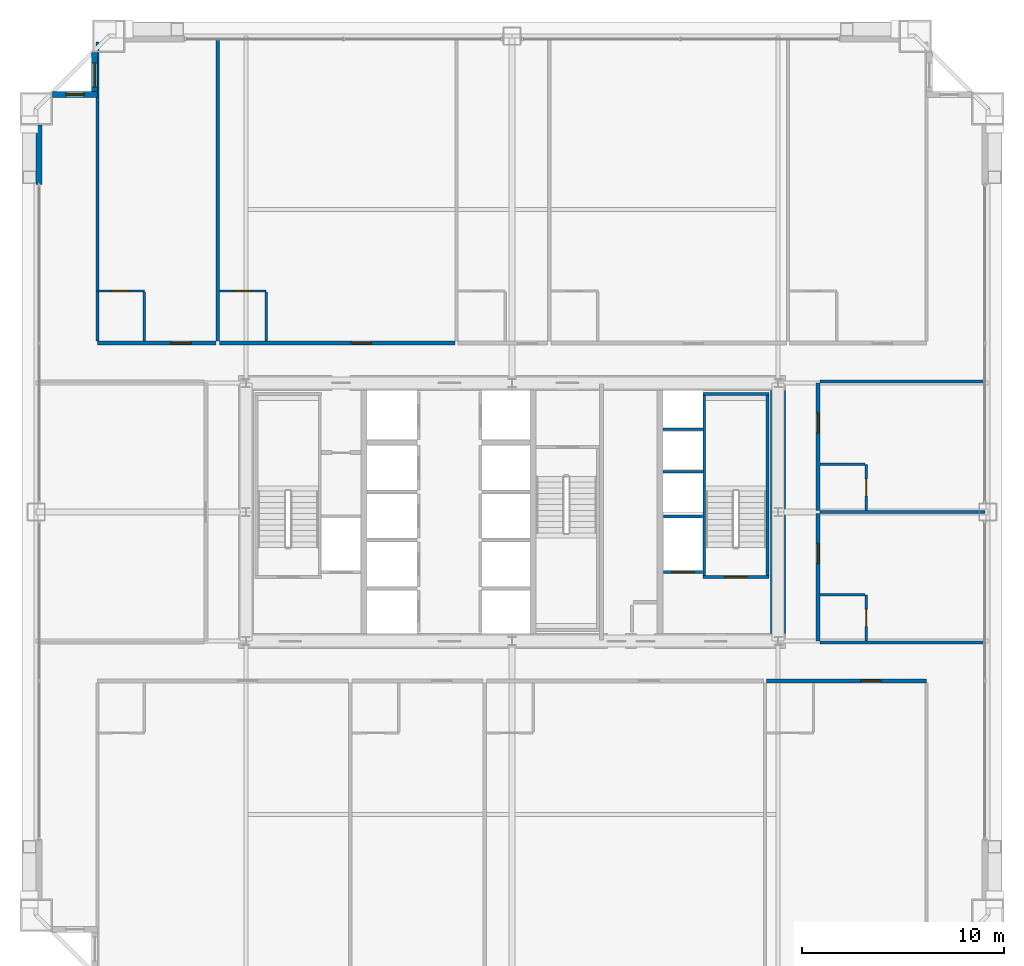
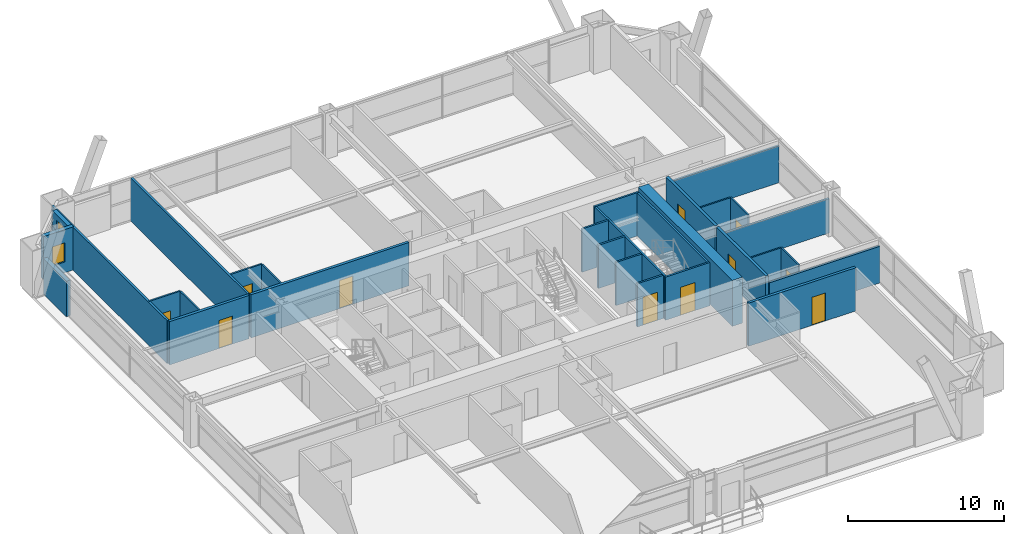
# One storey, part 39 of 41: 30 walls, 11 doors, 2 windows, 13 openings.
"""IFC4 building model written with IfcOpenShell, lengths in metres."""

from ifc_helpers import new_model, si_unit, direction, frame, frame_2d, origin, place, context, subcontext, project, spatial, rectangle, extrude, source, transform, mapped, material, layer, layer_set, type_object, element, fill, save


model = new_model("IFC4")

# Units and contexts
model_context = context("Model", 3, precision=1e-05, world=origin(), true_north=direction((0.0, 1.0)))
body_context = subcontext(model_context, "Body", "Model", "MODEL_VIEW")
ifc_project = project(units=[si_unit("LENGTHUNIT", "METRE"), si_unit("AREAUNIT", "SQUARE_METRE"), si_unit("VOLUMEUNIT", "CUBIC_METRE"), si_unit("PLANEANGLEUNIT", "RADIAN"), si_unit("MASSUNIT", "GRAM", prefix="KILO"), si_unit("THERMODYNAMICTEMPERATUREUNIT", "KELVIN"), si_unit("POWERUNIT", "WATT")], contexts=[model_context])

# Site, building, storey
site_placement = place(None, origin())
site = spatial("IfcSite", under=ifc_project, at=site_placement, CompositionType="ELEMENT")
building_placement = place(site_placement, origin())
building = spatial("IfcBuilding", under=site, at=building_placement, Name="Yuzanri Waterfront Tower", CompositionType="ELEMENT")
storey_placement = place(building_placement, frame((0.0, 0.0, 122.60009765625)))
storey = spatial("IfcBuildingStorey", under=building, at=storey_placement, Name="L32", CompositionType="ELEMENT", Elevation=122.60009765625)

# Wall, opening, door
ifc_material_1 = material(Name="Moisture-Resistant Gypsum Stud Wall", Category="gypsum")
ifc_layer_1 = layer(ifc_material_1, 0.1201171875)
ifc_layer_set_1 = layer_set([ifc_layer_1], Name="Moisture-Resistant Gypsum Stud Wall")
wall_type_1 = type_object("IfcWallType", Name="Bathroom and Kitchen Wet Partition 120", PredefinedType="PARTITIONING", material=ifc_layer_set_1)
wall_1_placement = place(storey_placement, frame((16.43994140625, 36.760009765625, 0.0), z_axis=(0.0, 0.0, 1.0), x_axis=(1.0, 0.0, 0.0)))
wall_1 = element("IfcWall", 1, at=wall_1_placement, inside=storey, type_object=wall_type_1, Name="L32 Partition UW-L32-N1-BN", PredefinedType="PARTITIONING", context=body_context, shape_type="SweptSolid", body=[
    extrude(rectangle(XDim=2.330078125, YDim=0.1201171875, at=frame_2d((1.1650390625, 0.0))), origin(), (0.0, 0.0, 1.0), 3.3798828125),
])
opening_1_placement = place(wall_1_placement, frame((0.739990234375, 0.0, 0.0)))
opening_1 = element("IfcOpeningElement", 2, at=opening_1_placement, cuts=wall_1, Name="Opening ID-0850", PredefinedType="OPENING", context=body_context, shape_type="SweptSolid", body=[
    extrude(rectangle(XDim=0.85009765625, YDim=2.10009765625, at=frame_2d((0.425048828125, 1.050048828125))), frame((0.0, 0.074951171875, 0.0), z_axis=(0.0, -1.0, 0.0), x_axis=(1.0, 0.0, 0.0)), (0.0, 0.0, 1.0), 0.14990234375),
])
ifc_material_2 = material(Name="Moisture-Resistant Lacquered Timber", Category="wood")
door_type_1 = type_object("IfcDoorType", Name="En-Suite Bathroom and Kitchen Swing Door 850x2100", OperationType="NOTDEFINED", PredefinedType="DOOR", material=ifc_material_2)
shared_shape_1 = source(origin(), body_context, "Body", "SweptSolid", [
    extrude(rectangle(XDim=0.85009765625, YDim=2.10009765625, at=frame_2d((0.425048828125, 1.050048828125))), frame((0.0, 0.02490234375, 0.0), z_axis=(0.0, -1.0, 0.0), x_axis=(1.0, 0.0, 0.0)), (0.0, 0.0, 1.0), 0.050048828125),
])
door_1_placement = place(opening_1_placement, origin())
door_1 = element("IfcDoor", 3, at=door_1_placement, inside=storey, type_object=door_type_1, Name="L32 Guest En-Suite Door", OperationType="SINGLE_SWING_RIGHT", OverallHeight=2.10009765625, OverallWidth=0.85009765625, PredefinedType="DOOR", context=body_context, shape_type="MappedRepresentation", body=[
    mapped(shared_shape_1, transform((0.0, 0.0, 0.0), scale=1.0)),
])
fill(opening_1, door_1)

wall_2_placement = place(storey_placement, frame((22.48193359375, 36.760009765625, 0.0), z_axis=(0.0, 0.0, 1.0), x_axis=(1.0, 0.0, 0.0)))
wall_2 = element("IfcWall", 4, at=wall_2_placement, inside=storey, type_object=wall_type_1, Name="L32 Partition UW-L32-N2-BN", PredefinedType="PARTITIONING", context=body_context, shape_type="SweptSolid", body=[
    extrude(rectangle(XDim=2.330078125, YDim=0.1201171875, at=frame_2d((1.1650390625, 0.0))), origin(), (0.0, 0.0, 1.0), 3.3798828125),
])
opening_2_placement = place(wall_2_placement, frame((0.739990234375, 0.0, 0.0)))
opening_2 = element("IfcOpeningElement", 5, at=opening_2_placement, cuts=wall_2, Name="Opening ID-0850", PredefinedType="OPENING", context=body_context, shape_type="SweptSolid", body=[
    extrude(rectangle(XDim=0.85009765625, YDim=2.10009765625, at=frame_2d((0.425048828125, 1.050048828125))), frame((0.0, 0.074951171875, 0.0), z_axis=(0.0, -1.0, 0.0), x_axis=(1.0, 0.0, 0.0)), (0.0, 0.0, 1.0), 0.14990234375),
])
door_2_placement = place(opening_2_placement, origin())
door_2 = element("IfcDoor", 6, at=door_2_placement, inside=storey, type_object=door_type_1, Name="L32 Guest En-Suite Door", OperationType="SINGLE_SWING_RIGHT", OverallHeight=2.10009765625, OverallWidth=0.85009765625, PredefinedType="DOOR", context=body_context, shape_type="MappedRepresentation", body=[
    mapped(shared_shape_1, transform((0.0, 0.0, 0.0), scale=1.0)),
])
fill(opening_2, door_2)

wall_3_placement = place(storey_placement, frame((54.56005859375, 19.409912109375, 0.0), z_axis=(0.0, 0.0, 1.0), x_axis=(0.0, 1.0, 0.0)))
wall_3 = element("IfcWall", 7, at=wall_3_placement, inside=storey, type_object=wall_type_1, Name="L32 Partition UW-L32-E1-BE2", PredefinedType="PARTITIONING", context=body_context, shape_type="SweptSolid", body=[
    extrude(rectangle(XDim=2.280029296875, YDim=0.1201171875, at=frame_2d((1.14013671875, 0.0))), origin(), (0.0, 0.0, 1.0), 3.3798828125),
])
opening_3_placement = place(wall_3_placement, frame((0.715087890625, 0.0, 0.0)))
opening_3 = element("IfcOpeningElement", 8, at=opening_3_placement, cuts=wall_3, Name="Opening ID-0850", PredefinedType="OPENING", context=body_context, shape_type="SweptSolid", body=[
    extrude(rectangle(XDim=0.85009765625, YDim=2.10009765625, at=frame_2d((0.425048828125, 1.050048828125))), frame((0.0, 0.074951171875, 0.0), z_axis=(0.0, -1.0, 0.0), x_axis=(1.0, 0.0, 0.0)), (0.0, 0.0, 1.0), 0.14990234375),
])
door_3_placement = place(opening_3_placement, origin())
door_3 = element("IfcDoor", 9, at=door_3_placement, inside=storey, type_object=door_type_1, Name="L32 Guest En-Suite Door", OperationType="SINGLE_SWING_LEFT", OverallHeight=2.10009765625, OverallWidth=0.85009765625, PredefinedType="DOOR", context=body_context, shape_type="MappedRepresentation", body=[
    mapped(shared_shape_1, transform((0.0, 0.0, 0.0), scale=1.0)),
])
fill(opening_3, door_3)

wall_4_placement = place(storey_placement, frame((54.56005859375, 25.8798828125, 0.0), z_axis=(0.0, 0.0, 1.0), x_axis=(0.0, 1.0, 0.0)))
wall_4 = element("IfcWall", 10, at=wall_4_placement, inside=storey, type_object=wall_type_1, Name="L32 Partition UW-L32-E2-BE2", PredefinedType="PARTITIONING", context=body_context, shape_type="SweptSolid", body=[
    extrude(rectangle(XDim=2.280029296875, YDim=0.1201171875, at=frame_2d((1.14013671875, 0.0))), origin(), (0.0, 0.0, 1.0), 3.3798828125),
])
opening_4_placement = place(wall_4_placement, frame((0.715087890625, 0.0, 0.0)))
opening_4 = element("IfcOpeningElement", 11, at=opening_4_placement, cuts=wall_4, Name="Opening ID-0850", PredefinedType="OPENING", context=body_context, shape_type="SweptSolid", body=[
    extrude(rectangle(XDim=0.85009765625, YDim=2.10009765625, at=frame_2d((0.425048828125, 1.050048828125))), frame((0.0, 0.074951171875, 0.0), z_axis=(0.0, -1.0, 0.0), x_axis=(1.0, 0.0, 0.0)), (0.0, 0.0, 1.0), 0.14990234375),
])
door_4_placement = place(opening_4_placement, origin())
door_4 = element("IfcDoor", 12, at=door_4_placement, inside=storey, type_object=door_type_1, Name="L32 Guest En-Suite Door", OperationType="SINGLE_SWING_LEFT", OverallHeight=2.10009765625, OverallWidth=0.85009765625, PredefinedType="DOOR", context=body_context, shape_type="MappedRepresentation", body=[
    mapped(shared_shape_1, transform((0.0, 0.0, 0.0), scale=1.0)),
])
fill(opening_4, door_4)

# Wall, opening, window
ifc_material_3 = material(Name="Honed Chongqing Dark Basalt Stone", Category="masonry")
ifc_layer_2 = layer(ifc_material_3, 0.300048828125)
ifc_layer_set_2 = layer_set([ifc_layer_2], Name="Honed Chongqing Dark Basalt Stone")
wall_type_2 = type_object("IfcWallType", Name="Bronze Rainscreen Insulated Spandrel Portal Wall 300", PredefinedType="SOLIDWALL", material=ifc_layer_set_2)
wall_5_placement = place(storey_placement, frame((16.449951171875, 46.5, 0.0), z_axis=(0.0, 0.0, 1.0), x_axis=(-1.0, 0.0, 0.0)))
wall_5 = element("IfcWall", 13, at=wall_5_placement, inside=storey, type_object=wall_type_2, Name="L32 Notched Corner Masonry Wall NW-X", PredefinedType="SOLIDWALL", context=body_context, shape_type="SweptSolid", body=[
    extrude(rectangle(XDim=2.25, YDim=0.300048828125, at=frame_2d((1.125, 0.0))), origin(), (0.0, 0.0, 1.0), 3.3798828125),
])
opening_5_placement = place(wall_5_placement, frame((0.675048828125, 0.0, 0.85009765625)))
opening_5 = element("IfcOpeningElement", 14, at=opening_5_placement, cuts=wall_5, Name="Opening WN-05", PredefinedType="OPENING", context=body_context, shape_type="SweptSolid", body=[
    extrude(rectangle(XDim=0.89990234375, YDim=1.5, at=frame_2d((0.449951171875, 0.75))), frame((0.0, 0.1650390625, 0.0), z_axis=(0.0, -1.0, 0.0), x_axis=(1.0, 0.0, 0.0)), (0.0, 0.0, 1.0), 0.329833984375),
])
ifc_material_4 = material(Name="Double-Silver Low-E Insulated Glass", Category="glass")
window_type_1 = type_object("IfcWindowType", Name="Anodized Bronze Service and Stairwell Smoke-Vent Window 900x1500", PartitioningType="SINGLE_PANEL", PredefinedType="WINDOW", material=ifc_material_4)
shared_shape_2 = source(origin(), body_context, "Body", "SweptSolid", [
    extrude(rectangle(XDim=0.89990234375, YDim=1.5, at=frame_2d((0.449951171875, 0.75))), frame((0.0, 0.030029296875, 0.0), z_axis=(0.0, -1.0, 0.0), x_axis=(1.0, 0.0, 0.0)), (0.0, 0.0, 1.0), 0.06005859375),
])
window_1_placement = place(opening_5_placement, origin())
window_1 = element("IfcWindow", 15, at=window_1_placement, inside=storey, type_object=window_type_1, Name="L32 Notched Corner Window NW-X", OverallHeight=1.5, OverallWidth=0.89990234375, PartitioningType="SINGLE_PANEL", PredefinedType="WINDOW", context=body_context, shape_type="MappedRepresentation", body=[
    mapped(shared_shape_2, transform((0.0, 0.0, 0.0), scale=1.0)),
])
fill(opening_5, window_1)

wall_6_placement = place(storey_placement, frame((16.300048828125, 48.60009765625, 0.0), z_axis=(0.0, 0.0, 1.0), x_axis=(0.0, -1.0, 0.0)))
wall_6 = element("IfcWall", 16, at=wall_6_placement, inside=storey, type_object=wall_type_2, Name="L32 Notched Corner Masonry Wall NW-Y", PredefinedType="SOLIDWALL", context=body_context, shape_type="SweptSolid", body=[
    extrude(rectangle(XDim=2.25, YDim=0.300048828125, at=frame_2d((1.125, 0.0))), origin(), (0.0, 0.0, 1.0), 3.3798828125),
])
opening_6_placement = place(wall_6_placement, frame((0.52490234375, 0.0, 0.85009765625)))
opening_6 = element("IfcOpeningElement", 17, at=opening_6_placement, cuts=wall_6, Name="Opening WN-02", PredefinedType="OPENING", context=body_context, shape_type="SweptSolid", body=[
    extrude(rectangle(XDim=1.199951171875, YDim=2.10009765625, at=frame_2d((0.60009765625, 1.050048828125))), frame((0.0, 0.1650390625, 0.0), z_axis=(0.0, -1.0, 0.0), x_axis=(1.0, 0.0, 0.0)), (0.0, 0.0, 1.0), 0.329833984375),
])
ifc_material_5 = material(Name="Double-Silver Low-E Insulated Glass", Category="glass")
window_type_2 = type_object("IfcWindowType", Name="Anodized Bronze Notched Corner Deep-Set Slot Window 1200x2100", PartitioningType="SINGLE_PANEL", PredefinedType="WINDOW", material=ifc_material_5)
shared_shape_3 = source(origin(), body_context, "Body", "SweptSolid", [
    extrude(rectangle(XDim=1.199951171875, YDim=2.10009765625, at=frame_2d((0.60009765625, 1.050048828125))), frame((0.0, 0.030029296875, 0.0), z_axis=(0.0, -1.0, 0.0), x_axis=(1.0, 0.0, 0.0)), (0.0, 0.0, 1.0), 0.06005859375),
])
window_2_placement = place(opening_6_placement, origin())
window_2 = element("IfcWindow", 18, at=window_2_placement, inside=storey, type_object=window_type_2, Name="L32 Notched Corner Window NW-Y", OverallHeight=2.10009765625, OverallWidth=1.199951171875, PartitioningType="SINGLE_PANEL", PredefinedType="WINDOW", context=body_context, shape_type="MappedRepresentation", body=[
    mapped(shared_shape_3, transform((0.0, 0.0, 0.0), scale=1.0)),
])
fill(opening_6, window_2)

# Wall, opening, door
ifc_material_6 = material(Name="Concrete C40", Category="concrete")
ifc_layer_3 = layer(ifc_material_6, 0.139892578125)
ifc_layer_set_3 = layer_set([ifc_layer_3], Name="Concrete C40")
wall_type_3 = type_object("IfcWallType", Name="Core Stair Liner and Hoistway Shaft Wall 140", PredefinedType="SOLIDWALL", material=ifc_layer_set_3)
wall_7_placement = place(storey_placement, frame((44.52001953125, 22.830078125, 0.0), z_axis=(0.0, 0.0, 1.0), x_axis=(1.0, 0.0, 0.0)))
wall_7 = element("IfcWall", 19, at=wall_7_placement, inside=storey, type_object=wall_type_3, Name="L32 Lift FL-02 Front Shaft Wall", PredefinedType="SOLIDWALL", context=body_context, shape_type="SweptSolid", body=[
    extrude(rectangle(XDim=1.919921875, YDim=0.139892578125, at=frame_2d((0.9599609375, 0.0))), origin(), (0.0, 0.0, 1.0), 3.3798828125),
])
opening_7_placement = place(wall_7_placement, frame((0.409912109375, 0.0, 0.0)))
opening_7 = element("IfcOpeningElement", 20, at=opening_7_placement, cuts=wall_7, Name="Opening LD-FL-02", PredefinedType="OPENING", context=body_context, shape_type="SweptSolid", body=[
    extrude(rectangle(XDim=1.10009765625, YDim=2.199951171875, at=frame_2d((0.550048828125, 1.10009765625))), frame((0.0, 0.0849609375, 0.0), z_axis=(0.0, -1.0, 0.0), x_axis=(1.0, 0.0, 0.0)), (0.0, 0.0, 1.0), 0.169677734375),
])
ifc_material_7 = material(Name="Brushed Bronze and Stainless Steel Cab", Category="steel")
door_type_2 = type_object("IfcDoorType", Name="Center-Parting Bronze Lift Landing Sliding Door 1100x2200", OperationType="NOTDEFINED", PredefinedType="DOOR", material=ifc_material_7)
shared_shape_4 = source(origin(), body_context, "Body", "SweptSolid", [
    extrude(rectangle(XDim=1.10009765625, YDim=2.199951171875, at=frame_2d((0.550048828125, 1.10009765625))), frame((0.0, 0.02490234375, 0.0), z_axis=(0.0, -1.0, 0.0), x_axis=(1.0, 0.0, 0.0)), (0.0, 0.0, 1.0), 0.050048828125),
])
door_5_placement = place(opening_7_placement, origin())
door_5 = element("IfcDoor", 21, at=door_5_placement, inside=storey, type_object=door_type_2, Name="L32 FL-02 Lift Landing Sliding Door", OperationType="SLIDING_TO_RIGHT", OverallHeight=2.199951171875, OverallWidth=1.10009765625, PredefinedType="DOOR", context=body_context, shape_type="MappedRepresentation", body=[
    mapped(shared_shape_4, transform((0.0, 0.0, 0.0), scale=1.0)),
])
fill(opening_7, door_5)

wall_8_placement = place(storey_placement, frame((46.4599609375, 22.570068359375, 0.0), z_axis=(0.0, 0.0, 1.0), x_axis=(1.0, 0.0, 0.0)))
wall_8 = element("IfcWall", 22, at=wall_8_placement, inside=storey, type_object=wall_type_3, Name="L32 Shaft Wall STW-L32-ST-02-S", PredefinedType="SOLIDWALL", context=body_context, shape_type="SweptSolid", body=[
    extrude(rectangle(XDim=3.280029296875, YDim=0.139892578125, at=frame_2d((1.64013671875, 0.0))), origin(), (0.0, 0.0, 1.0), 3.3798828125),
])
opening_8_placement = place(wall_8_placement, frame((1.090087890625, 0.0, 0.0)))
opening_8 = element("IfcOpeningElement", 23, at=opening_8_placement, cuts=wall_8, Name="Opening FD-1100", PredefinedType="OPENING", context=body_context, shape_type="SweptSolid", body=[
    extrude(rectangle(XDim=1.10009765625, YDim=2.199951171875, at=frame_2d((0.550048828125, 1.10009765625))), frame((0.0, 0.0849609375, 0.0), z_axis=(0.0, -1.0, 0.0), x_axis=(1.0, 0.0, 0.0)), (0.0, 0.0, 1.0), 0.169677734375),
])
ifc_material_8 = material(Name="Painted Galvanized Fire Steel", Category="steel")
door_type_3 = type_object("IfcDoorType", Name="Smoke-Proof Stair and Lobby Fire Door 1100x2200", OperationType="NOTDEFINED", PredefinedType="DOOR", material=ifc_material_8)
shared_shape_5 = source(origin(), body_context, "Body", "SweptSolid", [
    extrude(rectangle(XDim=1.10009765625, YDim=2.199951171875, at=frame_2d((0.550048828125, 1.10009765625))), frame((0.0, 0.02490234375, 0.0), z_axis=(0.0, -1.0, 0.0), x_axis=(1.0, 0.0, 0.0)), (0.0, 0.0, 1.0), 0.050048828125),
])
door_6_placement = place(opening_8_placement, origin())
door_6 = element("IfcDoor", 24, at=door_6_placement, inside=storey, type_object=door_type_3, Name="L32 Stair ST-02 Fire Door", OperationType="SINGLE_SWING_RIGHT", OverallHeight=2.199951171875, OverallWidth=1.10009765625, PredefinedType="DOOR", context=body_context, shape_type="MappedRepresentation", body=[
    mapped(shared_shape_5, transform((0.0, 0.0, 0.0), scale=1.0)),
])
fill(opening_8, door_6)

ifc_material_9 = material(Name="Autoclaved Aerated Concrete Blockwork", Category="masonry")
ifc_layer_4 = layer(ifc_material_9, 0.199951171875)
ifc_layer_set_4 = layer_set([ifc_layer_4], Name="Autoclaved Aerated Concrete Blockwork")
wall_type_4 = type_object("IfcWallType", Name="Corridor and Unit Party Fire Wall 200", PredefinedType="PARTITIONING", material=ifc_layer_set_4)
wall_9_placement = place(storey_placement, frame((49.6220703125, 17.419921875, 0.0), z_axis=(0.0, 0.0, 1.0), x_axis=(1.0, 0.0, 0.0)))
wall_9 = element("IfcWall", 25, at=wall_9_placement, inside=storey, type_object=wall_type_4, Name="L32 Partition UW-L32-S4-CN", PredefinedType="PARTITIONING", context=body_context, shape_type="SweptSolid", body=[
    extrude(rectangle(XDim=7.93798828125, YDim=0.199951171875, at=frame_2d((3.968994140625, 0.0))), origin(), (0.0, 0.0, 1.0), 3.3798828125),
])
opening_9_placement = place(wall_9_placement, frame((4.674072265625, 0.0, 0.0)))
opening_9 = element("IfcOpeningElement", 26, at=opening_9_placement, cuts=wall_9, Name="Opening FD-1000", PredefinedType="OPENING", context=body_context, shape_type="SweptSolid", body=[
    extrude(rectangle(XDim=1.0, YDim=2.199951171875, at=frame_2d((0.5, 1.10009765625))), frame((0.0, 0.11474609375, 0.0), z_axis=(0.0, -1.0, 0.0), x_axis=(1.0, 0.0, 0.0)), (0.0, 0.0, 1.0), 0.229736328125),
])
ifc_material_10 = material(Name="Engineered Oak Fire-Rated Timber", Category="wood")
door_type_4 = type_object("IfcDoorType", Name="Guestroom and Apartment Entrance Fire Door 1000x2200", OperationType="NOTDEFINED", PredefinedType="DOOR", material=ifc_material_10)
shared_shape_6 = source(origin(), body_context, "Body", "SweptSolid", [
    extrude(rectangle(XDim=1.0, YDim=2.199951171875, at=frame_2d((0.5, 1.10009765625))), frame((0.0, 0.02490234375, 0.0), z_axis=(0.0, -1.0, 0.0), x_axis=(1.0, 0.0, 0.0)), (0.0, 0.0, 1.0), 0.050048828125),
])
door_7_placement = place(opening_9_placement, origin())
door_7 = element("IfcDoor", 27, at=door_7_placement, inside=storey, type_object=door_type_4, Name="L32 Presidential Riverfront Suite Entrance Door", OperationType="SINGLE_SWING_LEFT", OverallHeight=2.199951171875, OverallWidth=1.0, PredefinedType="DOOR", context=body_context, shape_type="MappedRepresentation", body=[
    mapped(shared_shape_6, transform((0.0, 0.0, 0.0), scale=1.0)),
])
fill(opening_9, door_7)

wall_10_placement = place(storey_placement, frame((16.43994140625, 34.179931640625, 0.0), z_axis=(0.0, 0.0, 1.0), x_axis=(1.0, 0.0, 0.0)))
wall_10 = element("IfcWall", 28, at=wall_10_placement, inside=storey, type_object=wall_type_4, Name="L32 Partition UW-L32-N1-CS", PredefinedType="PARTITIONING", context=body_context, shape_type="SweptSolid", body=[
    extrude(rectangle(XDim=5.882080078125, YDim=0.199951171875, at=frame_2d((2.94091796875, 0.0))), origin(), (0.0, 0.0, 1.0), 3.3798828125),
])
opening_10_placement = place(wall_10_placement, frame((3.64599609375, 0.0, 0.0)))
opening_10 = element("IfcOpeningElement", 29, at=opening_10_placement, cuts=wall_10, Name="Opening FD-1000", PredefinedType="OPENING", context=body_context, shape_type="SweptSolid", body=[
    extrude(rectangle(XDim=1.0, YDim=2.199951171875, at=frame_2d((0.5, 1.10009765625))), frame((0.0, 0.11474609375, 0.0), z_axis=(0.0, -1.0, 0.0), x_axis=(1.0, 0.0, 0.0)), (0.0, 0.0, 1.0), 0.229736328125),
])
door_8_placement = place(opening_10_placement, origin())
door_8 = element("IfcDoor", 30, at=door_8_placement, inside=storey, type_object=door_type_4, Name="L32 Superior Twin Junior Suite Entrance Door", OperationType="SINGLE_SWING_LEFT", OverallHeight=2.199951171875, OverallWidth=1.0, PredefinedType="DOOR", context=body_context, shape_type="MappedRepresentation", body=[
    mapped(shared_shape_6, transform((0.0, 0.0, 0.0), scale=1.0)),
])
fill(opening_10, door_8)

wall_11_placement = place(storey_placement, frame((22.48193359375, 34.179931640625, 0.0), z_axis=(0.0, 0.0, 1.0), x_axis=(1.0, 0.0, 0.0)))
wall_11 = element("IfcWall", 31, at=wall_11_placement, inside=storey, type_object=wall_type_4, Name="L32 Partition UW-L32-N2-CS", PredefinedType="PARTITIONING", context=body_context, shape_type="SweptSolid", body=[
    extrude(rectangle(XDim=11.68310546875, YDim=0.199951171875, at=frame_2d((5.841552734375, 0.0))), origin(), (0.0, 0.0, 1.0), 3.3798828125),
])
opening_11_placement = place(wall_11_placement, frame((6.547119140625, 0.0, 0.0)))
opening_11 = element("IfcOpeningElement", 32, at=opening_11_placement, cuts=wall_11, Name="Opening FD-1000", PredefinedType="OPENING", context=body_context, shape_type="SweptSolid", body=[
    extrude(rectangle(XDim=1.0, YDim=2.199951171875, at=frame_2d((0.5, 1.10009765625))), frame((0.0, 0.11474609375, 0.0), z_axis=(0.0, -1.0, 0.0), x_axis=(1.0, 0.0, 0.0)), (0.0, 0.0, 1.0), 0.229736328125),
])
door_9_placement = place(opening_11_placement, origin())
door_9 = element("IfcDoor", 33, at=door_9_placement, inside=storey, type_object=door_type_4, Name="L32 Superior Twin Junior Suite Entrance Door", OperationType="SINGLE_SWING_LEFT", OverallHeight=2.199951171875, OverallWidth=1.0, PredefinedType="DOOR", context=body_context, shape_type="MappedRepresentation", body=[
    mapped(shared_shape_6, transform((0.0, 0.0, 0.0), scale=1.0)),
])
fill(opening_11, door_9)

wall_12_placement = place(storey_placement, frame((52.179931640625, 19.409912109375, 0.0), z_axis=(0.0, 0.0, 1.0), x_axis=(0.0, 1.0, 0.0)))
wall_12 = element("IfcWall", 34, at=wall_12_placement, inside=storey, type_object=wall_type_4, Name="L32 Partition UW-L32-E1-CW", PredefinedType="PARTITIONING", context=body_context, shape_type="SweptSolid", body=[
    extrude(rectangle(XDim=6.31005859375, YDim=0.199951171875, at=frame_2d((3.155029296875, 0.0))), origin(), (0.0, 0.0, 1.0), 3.3798828125),
])
opening_12_placement = place(wall_12_placement, frame((3.8349609375, 0.0, 0.0)))
opening_12 = element("IfcOpeningElement", 35, at=opening_12_placement, cuts=wall_12, Name="Opening FD-1000", PredefinedType="OPENING", context=body_context, shape_type="SweptSolid", body=[
    extrude(rectangle(XDim=1.0, YDim=2.199951171875, at=frame_2d((0.5, 1.10009765625))), frame((0.0, 0.11474609375, 0.0), z_axis=(0.0, -1.0, 0.0), x_axis=(1.0, 0.0, 0.0)), (0.0, 0.0, 1.0), 0.229736328125),
])
door_10_placement = place(opening_12_placement, origin())
door_10 = element("IfcDoor", 36, at=door_10_placement, inside=storey, type_object=door_type_4, Name="L32 East Executive Suite Entrance Door", OperationType="SINGLE_SWING_RIGHT", OverallHeight=2.199951171875, OverallWidth=1.0, PredefinedType="DOOR", context=body_context, shape_type="MappedRepresentation", body=[
    mapped(shared_shape_6, transform((0.0, 0.0, 0.0), scale=1.0)),
])
fill(opening_12, door_10)

wall_13_placement = place(storey_placement, frame((52.179931640625, 25.8798828125, 0.0), z_axis=(0.0, 0.0, 1.0), x_axis=(0.0, 1.0, 0.0)))
wall_13 = element("IfcWall", 37, at=wall_13_placement, inside=storey, type_object=wall_type_4, Name="L32 Partition UW-L32-E2-CW", PredefinedType="PARTITIONING", context=body_context, shape_type="SweptSolid", body=[
    extrude(rectangle(XDim=6.31005859375, YDim=0.199951171875, at=frame_2d((3.155029296875, 0.0))), origin(), (0.0, 0.0, 1.0), 3.3798828125),
])
opening_13_placement = place(wall_13_placement, frame((3.8349609375, 0.0, 0.0)))
opening_13 = element("IfcOpeningElement", 38, at=opening_13_placement, cuts=wall_13, Name="Opening FD-1000", PredefinedType="OPENING", context=body_context, shape_type="SweptSolid", body=[
    extrude(rectangle(XDim=1.0, YDim=2.199951171875, at=frame_2d((0.5, 1.10009765625))), frame((0.0, 0.11474609375, 0.0), z_axis=(0.0, -1.0, 0.0), x_axis=(1.0, 0.0, 0.0)), (0.0, 0.0, 1.0), 0.229736328125),
])
door_11_placement = place(opening_13_placement, origin())
door_11 = element("IfcDoor", 39, at=door_11_placement, inside=storey, type_object=door_type_4, Name="L32 East Executive Suite Entrance Door", OperationType="SINGLE_SWING_RIGHT", OverallHeight=2.199951171875, OverallWidth=1.0, PredefinedType="DOOR", context=body_context, shape_type="MappedRepresentation", body=[
    mapped(shared_shape_6, transform((0.0, 0.0, 0.0), scale=1.0)),
])
fill(opening_13, door_11)

# Walls
ifc_material_11 = material(Name="Concrete C55", Category="concrete")
ifc_layer_5 = layer(ifc_material_11, 0.75)
ifc_layer_set_5 = layer_set([ifc_layer_5], Name="Concrete C55")
wall_type_5 = type_object("IfcWallType", Name="Concrete C55 Low-Mid Zone Core Shear Wall 750", PredefinedType="SHEAR", material=ifc_layer_set_5)
shared_shape_7 = source(origin(), body_context, "Body", "SweptSolid", [
    extrude(rectangle(XDim=12.050048828125, YDim=0.75, at=frame_2d((6.02490234375, 0.0))), origin(), (0.0, 0.0, 1.0), 3.599853515625),
])
wall_14_placement = place(storey_placement, frame((50.199951171875, 19.77490234375, 0.0), z_axis=(0.0, 0.0, 1.0), x_axis=(0.0, 1.0, 0.0)))
element("IfcWall", 40, at=wall_14_placement, inside=storey, type_object=wall_type_5, Name="L32 Core East Shear Wall", PredefinedType="SHEAR", context=body_context, shape_type="MappedRepresentation", body=[
    mapped(shared_shape_7, transform((0.0, 0.0, 0.0), scale=1.0)),
])
shared_shape_8 = source(origin(), body_context, "Body", "SweptSolid", [
    extrude(rectangle(XDim=2.949951171875, YDim=0.300048828125, at=frame_2d((1.47509765625, 0.0))), origin(), (0.0, 0.0, 1.0), 2.77490234375),
])
wall_15_placement = place(storey_placement, frame((13.550048828125, 42.050048828125, 0.0), z_axis=(0.0, 0.0, 1.0), x_axis=(0.0, 1.0, 0.0)))
element("IfcWall", 41, at=wall_15_placement, inside=storey, type_object=wall_type_2, Name="L32 W Right Braced Masonry Shoulder", PredefinedType="SOLIDWALL", context=body_context, shape_type="MappedRepresentation", body=[
    mapped(shared_shape_8, transform((0.0, 0.0, 0.0), scale=1.0)),
])
shared_shape_9 = source(origin(), body_context, "Body", "SweptSolid", [
    extrude(rectangle(XDim=1.919921875, YDim=0.139892578125, at=frame_2d((0.9599609375, 0.0))), origin(), (0.0, 0.0, 1.0), 3.3798828125),
])
wall_16_placement = place(storey_placement, frame((44.52001953125, 25.570068359375, 0.0), z_axis=(0.0, 0.0, 1.0), x_axis=(1.0, 0.0, 0.0)))
element("IfcWall", 42, at=wall_16_placement, inside=storey, type_object=wall_type_3, Name="L32 Lift FL-02 Back Shaft Wall", PredefinedType="SOLIDWALL", context=body_context, shape_type="MappedRepresentation", body=[
    mapped(shared_shape_9, transform((0.0, 0.0, 0.0), scale=1.0)),
])
shared_shape_10 = source(origin(), body_context, "Body", "SweptSolid", [
    extrude(rectangle(XDim=2.0, YDim=0.139892578125, at=frame_2d((1.0, 0.0))), origin(), (0.0, 0.0, 1.0), 3.3798828125),
])
for number, where, z_axis, x_axis, name in (
    (43, (44.5, 27.800048828125, 0.0), (0.0, 0.0, 1.0), (1.0, 0.0, 0.0), "L32 Lift PL-09 Divider Wall"),
    (44, (44.5, 29.89990234375, 0.0), (0.0, 0.0, 1.0), (1.0, 0.0, 0.0), "L32 Lift PL-10 Divider Wall"),
):
    element("IfcWall", number, at=place(storey_placement, frame(where, z_axis=z_axis, x_axis=x_axis)), inside=storey, type_object=wall_type_3, Name=name, PredefinedType="SOLIDWALL", context=body_context, shape_type="MappedRepresentation", body=[
        mapped(shared_shape_10, transform((0.0, 0.0, 0.0), scale=1.0)),
    ])
shared_shape_11 = source(origin(), body_context, "Body", "SweptSolid", [
    extrude(rectangle(XDim=3.280029296875, YDim=0.139892578125, at=frame_2d((1.64013671875, 0.0))), origin(), (0.0, 0.0, 1.0), 3.3798828125),
])
wall_17_placement = place(storey_placement, frame((46.4599609375, 31.64990234375, 0.0), z_axis=(0.0, 0.0, 1.0), x_axis=(1.0, 0.0, 0.0)))
element("IfcWall", 45, at=wall_17_placement, inside=storey, type_object=wall_type_3, Name="L32 Stair ST-02 North Shaft Wall", PredefinedType="SOLIDWALL", context=body_context, shape_type="MappedRepresentation", body=[
    mapped(shared_shape_11, transform((0.0, 0.0, 0.0), scale=1.0)),
])
shared_shape_12 = source(origin(), body_context, "Body", "SweptSolid", [
    extrude(rectangle(XDim=8.940185546875, YDim=0.139892578125, at=frame_2d((4.47021484375, 0.0))), origin(), (0.0, 0.0, 1.0), 3.3798828125),
])
for number, where, z_axis, x_axis, name in (
    (46, (46.530029296875, 22.639892578125, 0.0), (0.0, 0.0, 1.0), (0.0, 1.0, 0.0), "L32 Stair ST-02 West Shaft Wall"),
    (47, (49.669921875, 22.639892578125, 0.0), (0.0, 0.0, 1.0), (0.0, 1.0, 0.0), "L32 Stair ST-02 East Shaft Wall"),
):
    element("IfcWall", number, at=place(storey_placement, frame(where, z_axis=z_axis, x_axis=x_axis)), inside=storey, type_object=wall_type_3, Name=name, PredefinedType="SOLIDWALL", context=body_context, shape_type="MappedRepresentation", body=[
        mapped(shared_shape_12, transform((0.0, 0.0, 0.0), scale=1.0)),
    ])
shared_shape_13 = source(origin(), body_context, "Body", "SweptSolid", [
    extrude(rectangle(XDim=2.419921875, YDim=0.1201171875, at=frame_2d((1.2099609375, 0.0))), origin(), (0.0, 0.0, 1.0), 3.3798828125),
])
for number, where, z_axis, x_axis, name in (
    (48, (18.77001953125, 34.280029296875, 0.0), (0.0, 0.0, 1.0), (0.0, 1.0, 0.0), "L32-N1 En-Suite Side Wall"),
    (49, (24.81201171875, 34.280029296875, 0.0), (0.0, 0.0, 1.0), (0.0, 1.0, 0.0), "L32-N2 En-Suite Side Wall"),
):
    element("IfcWall", number, at=place(storey_placement, frame(where, z_axis=z_axis, x_axis=x_axis)), inside=storey, type_object=wall_type_1, Name=name, PredefinedType="PARTITIONING", context=body_context, shape_type="MappedRepresentation", body=[
        mapped(shared_shape_13, transform((0.0, 0.0, 0.0), scale=1.0)),
    ])
shared_shape_14 = source(origin(), body_context, "Body", "SweptSolid", [
    extrude(rectangle(XDim=2.219970703125, YDim=0.1201171875, at=frame_2d((1.10986328125, 0.0))), origin(), (0.0, 0.0, 1.0), 3.3798828125),
])
for number, where, z_axis, x_axis, name in (
    (50, (52.280029296875, 21.68994140625, 0.0), (0.0, 0.0, 1.0), (1.0, 0.0, 0.0), "L32-E1 En-Suite Top Wall"),
    (51, (52.280029296875, 28.159912109375, 0.0), (0.0, 0.0, 1.0), (1.0, 0.0, 0.0), "L32-E2 En-Suite Top Wall"),
):
    element("IfcWall", number, at=place(storey_placement, frame(where, z_axis=z_axis, x_axis=x_axis)), inside=storey, type_object=wall_type_1, Name=name, PredefinedType="PARTITIONING", context=body_context, shape_type="MappedRepresentation", body=[
        mapped(shared_shape_14, transform((0.0, 0.0, 0.0), scale=1.0)),
    ])
ifc_material_12 = material(Name="Gypsum Fireboard Acoustic Stud Wall", Category="gypsum")
ifc_layer_6 = layer(ifc_material_12, 0.159912109375)
ifc_layer_set_6 = layer_set([ifc_layer_6], Name="Gypsum Fireboard Acoustic Stud Wall")
wall_type_6 = type_object("IfcWallType", Name="Acoustic Suite Demising Partition 160", PredefinedType="PARTITIONING", material=ifc_layer_set_6)
shared_shape_15 = source(origin(), body_context, "Body", "SweptSolid", [
    extrude(rectangle(XDim=8.169921875, YDim=0.159912109375, at=frame_2d((4.0849609375, 0.0))), origin(), (0.0, 0.0, 1.0), 2.875),
])
for number, where, z_axis, x_axis, name in (
    (52, (52.280029296875, 19.330078125, 0.0), (0.0, 0.0, 1.0), (1.0, 0.0, 0.0), "L32-E1 Wing South End Wall"),
    (53, (52.280029296875, 32.27001953125, 0.0), (0.0, 0.0, 1.0), (1.0, 0.0, 0.0), "L32-E2 Wing North End Wall"),
):
    element("IfcWall", number, at=place(storey_placement, frame(where, z_axis=z_axis, x_axis=x_axis)), inside=storey, type_object=wall_type_6, Name=name, PredefinedType="PARTITIONING", context=body_context, shape_type="MappedRepresentation", body=[
        mapped(shared_shape_15, transform((0.0, 0.0, 0.0), scale=1.0)),
    ])
shared_shape_16 = source(origin(), body_context, "Body", "SweptSolid", [
    extrude(rectangle(XDim=14.969970703125, YDim=0.159912109375, at=frame_2d((7.48486328125, 0.0))), origin(), (0.0, 0.0, 1.0), 3.3798828125),
])
wall_18_placement = place(storey_placement, frame((22.402099609375, 34.280029296875, 0.0), z_axis=(0.0, 0.0, 1.0), x_axis=(0.0, 1.0, 0.0)))
element("IfcWall", 54, at=wall_18_placement, inside=storey, type_object=wall_type_6, Name="L32-N1 Party Wall", PredefinedType="PARTITIONING", context=body_context, shape_type="MappedRepresentation", body=[
    mapped(shared_shape_16, transform((0.0, 0.0, 0.0), scale=1.0)),
])
shared_shape_17 = source(origin(), body_context, "Body", "SweptSolid", [
    extrude(rectangle(XDim=14.820068359375, YDim=0.159912109375, at=frame_2d((7.41015625, 0.0))), origin(), (0.0, 0.0, 1.0), 3.3798828125),
])
wall_19_placement = place(storey_placement, frame((16.449951171875, 34.280029296875, 0.0), z_axis=(0.0, 0.0, 1.0), x_axis=(0.0, 1.0, 0.0)))
element("IfcWall", 55, at=wall_19_placement, inside=storey, type_object=wall_type_6, Name="L32 North Band West End Wall", PredefinedType="PARTITIONING", context=body_context, shape_type="MappedRepresentation", body=[
    mapped(shared_shape_17, transform((0.0, 0.0, 0.0), scale=1.0)),
])
shared_shape_18 = source(origin(), body_context, "Body", "SweptSolid", [
    extrude(rectangle(XDim=8.169921875, YDim=0.159912109375, at=frame_2d((4.0849609375, 0.0))), origin(), (0.0, 0.0, 1.0), 2.6748046875),
])
wall_20_placement = place(storey_placement, frame((52.280029296875, 25.800048828125, 0.0), z_axis=(0.0, 0.0, 1.0), x_axis=(1.0, 0.0, 0.0)))
element("IfcWall", 56, at=wall_20_placement, inside=storey, type_object=wall_type_6, Name="L32-E1 Wing Party Wall", PredefinedType="PARTITIONING", context=body_context, shape_type="MappedRepresentation", body=[
    mapped(shared_shape_18, transform((0.0, 0.0, 0.0), scale=1.0)),
])

save(model, "model.ifc")
